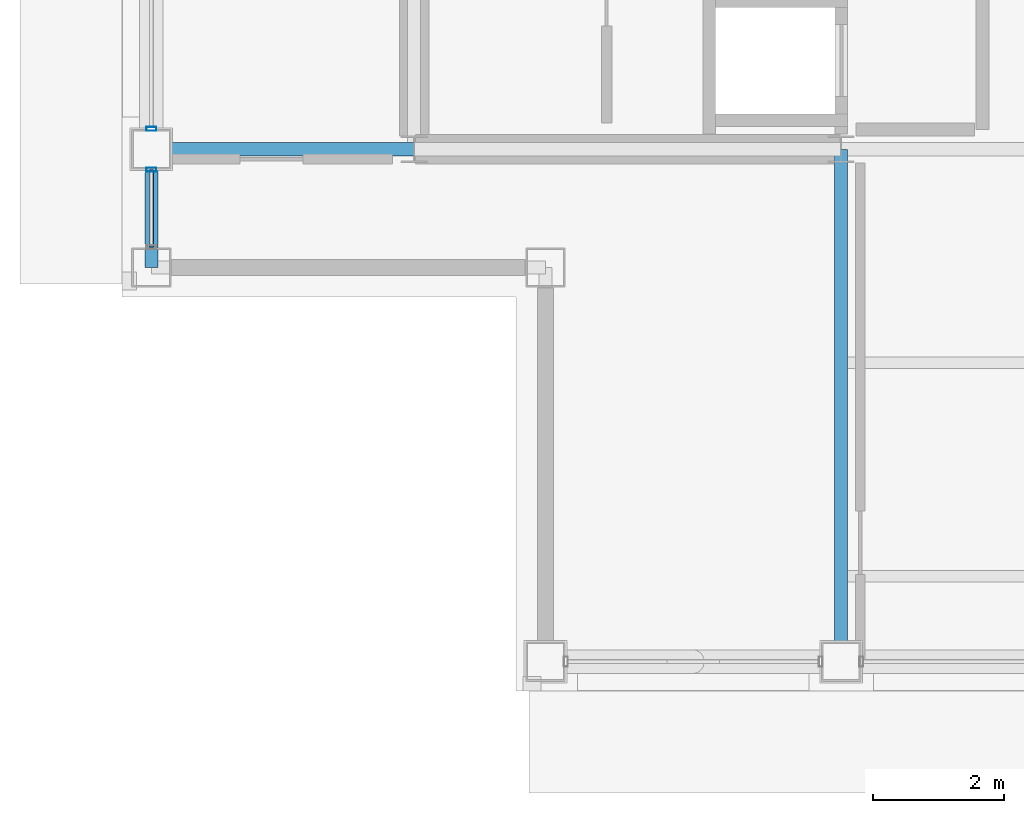
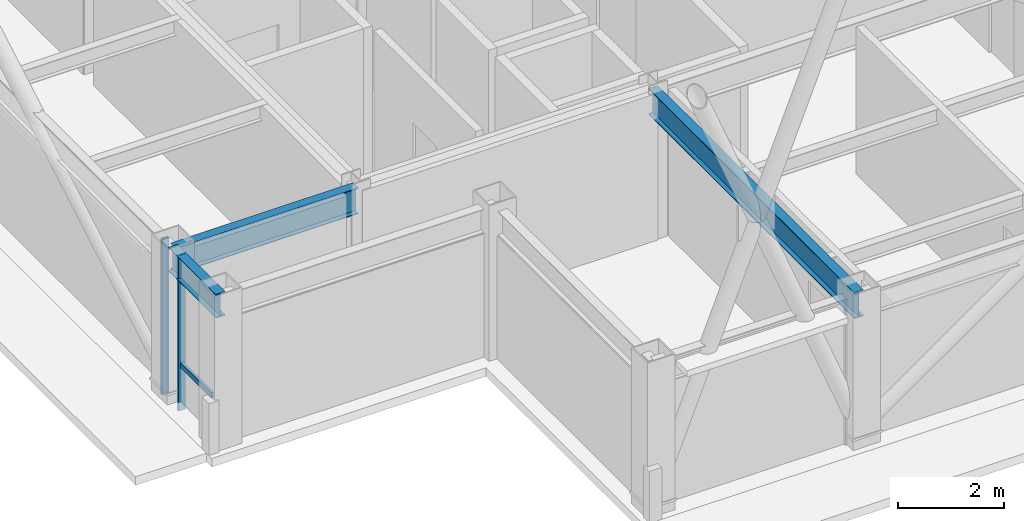
# One storey, part 4 of 24: 3 beams, 3 members, 2 elements without a shape of their own.
"""IFC4 building model written with IfcOpenShell, lengths in metres."""

from ifc_helpers import new_model, si_unit, direction, frame, origin, origin_2d, place, context, subcontext, project, spatial, hollow_rectangle, i_section, extrude, material, layer, layer_set, material_profile, profile_set, type_object, element, aggregate, save


model = new_model("IFC4")

# Units and contexts
model_context = context("Model", 3, precision=1e-05, world=origin(), true_north=direction((0.0, 1.0)))
body_context = subcontext(model_context, "Body", "Model", "MODEL_VIEW")
ifc_project = project(units=[si_unit("LENGTHUNIT", "METRE"), si_unit("AREAUNIT", "SQUARE_METRE"), si_unit("VOLUMEUNIT", "CUBIC_METRE"), si_unit("PLANEANGLEUNIT", "RADIAN"), si_unit("MASSUNIT", "GRAM", prefix="KILO")], contexts=[model_context])

# Site, building, storey
site_placement = place(None, origin())
site = spatial("IfcSite", under=ifc_project, at=site_placement, CompositionType="ELEMENT")
building_placement = place(site_placement, origin())
building = spatial("IfcBuilding", under=site, at=building_placement, Name="Brelmoor Portico Tower", CompositionType="ELEMENT")
storey_placement = place(building_placement, frame((0.0, 0.0, 268.800048828125)))
storey = spatial("IfcBuildingStorey", under=building, at=storey_placement, Name="L71", CompositionType="ELEMENT", Elevation=268.800048828125)

# Beams
ifc_material_1 = material(Name="Steel Q355B", Category="steel")
ifc_material_profile_1 = material_profile(ifc_material_1, i_section(OverallWidth=0.199951171875, OverallDepth=0.60009765625, WebThickness=0.010986328125, FlangeThickness=0.01708984375, at=origin_2d()), Name="HN 600x200x11x17")
ifc_profile_set_1 = profile_set([ifc_material_profile_1], Name="Steel Q355B")
beam_type_1 = type_object("IfcBeamType", Name="BM-PG-600", PredefinedType="BEAM", material=ifc_profile_set_1)
beam_1_placement = place(storey_placement, frame((-8.050048828125, -17.550048828125, 3.099853515625), z_axis=(0.0, 1.0, 0.0), x_axis=(-1.0, 0.0, 0.0)))
element("IfcBeam", 1, at=beam_1_placement, inside=storey, type_object=beam_type_1, Name="L71 Primary Floor Girder PG-03", PredefinedType="BEAM", context=body_context, shape_type="SweptSolid", body=[
    extrude(i_section(OverallWidth=0.199951171875, OverallDepth=0.60009765625, WebThickness=0.010986328125, FlangeThickness=0.01708984375, at=origin_2d()), origin(), (0.0, 0.0, 1.0), 7.800048828125),
])
beam_2_placement = place(storey_placement, frame((-18.550048828125, -9.75, 3.099853515625), z_axis=(1.0, 0.0, 0.0), x_axis=(0.0, 1.0, 0.0)))
element("IfcBeam", 2, at=beam_2_placement, inside=storey, type_object=beam_type_1, Name="L71 Primary Floor Girder PG-11", PredefinedType="BEAM", context=body_context, shape_type="SweptSolid", body=[
    extrude(i_section(OverallWidth=0.199951171875, OverallDepth=0.60009765625, WebThickness=0.010986328125, FlangeThickness=0.01708984375, at=origin_2d()), origin(), (0.0, 0.0, 1.0), 4.0),
])
ifc_material_profile_2 = material_profile(ifc_material_1, i_section(OverallWidth=0.199951171875, OverallDepth=0.550048828125, WebThickness=0.010009765625, FlangeThickness=0.01611328125, at=origin_2d()), Name="HN 550x200x10x16")
ifc_profile_set_2 = profile_set([ifc_material_profile_2], Name="Steel Q355B")
beam_type_2 = type_object("IfcBeamType", Name="BM-SP-550", PredefinedType="SPANDREL", material=ifc_profile_set_2)
beam_3_placement = place(storey_placement, frame((-18.550048828125, -11.550048828125, 3.125), z_axis=(0.0, 1.0, 0.0), x_axis=(-1.0, 0.0, 0.0)))
element("IfcBeam", 3, at=beam_3_placement, inside=storey, type_object=beam_type_2, Name="L71 Perimeter Spandrel Beam SP-11", PredefinedType="SPANDREL", context=body_context, shape_type="SweptSolid", body=[
    extrude(i_section(OverallWidth=0.199951171875, OverallDepth=0.550048828125, WebThickness=0.010009765625, FlangeThickness=0.01611328125, at=origin_2d()), origin(), (0.0, 0.0, 1.0), 1.800048828125),
])

# Curtain wall, member
ifc_material_2 = material(Name="Anodised Aluminium Alloy 6063-T6", Category="aluminium")
ifc_layer_1 = layer(ifc_material_2, 0.179931640625)
ifc_layer_set_1 = layer_set([ifc_layer_1], Name="Anodised Aluminium Alloy 6063-T6")
curtain_wall_type_1 = type_object("IfcCurtainWallType", Name="CW-TOWER-Z4", PredefinedType="NOTDEFINED", material=ifc_layer_set_1)
curtain_wall_1_placement = place(storey_placement, origin())
curtain_wall_1 = element("IfcCurtainWall", 4, at=curtain_wall_1_placement, inside=storey, type_object=curtain_wall_type_1, Name="L71 Curtain Wall CW-L71-03-1", PredefinedType="NOTDEFINED")
ifc_material_profile_3 = material_profile(ifc_material_2, hollow_rectangle(XDim=0.06005859375, YDim=0.14990234375, WallThickness=0.00390625, at=origin_2d()), Name="ALU MULLION 60x150")
ifc_profile_set_3 = profile_set([ifc_material_profile_3], Name="Anodised Aluminium Alloy 6063-T6")
member_type_1 = type_object("IfcMemberType", Name="MB-CW-MULL-150", PredefinedType="MULLION", material=ifc_profile_set_3)
member_1_placement = place(storey_placement, frame((-18.550048828125, -10.06005859375, -0.199951171875), z_axis=(0.0, 0.0, 1.0), x_axis=(0.0, 1.0, 0.0)))
member_1 = element("IfcMember", 5, at=member_1_placement, type_object=member_type_1, Name="CW-L71-03-1 Mullion 01", PredefinedType="MULLION", context=body_context, shape_type="SweptSolid", body=[
    extrude(hollow_rectangle(XDim=0.06005859375, YDim=0.14990234375, WallThickness=0.00390625, at=origin_2d()), origin(), (0.0, 0.0, 1.0), 3.599853515625),
])

ifc_layer_2 = layer(ifc_material_2, 0.179931640625)
ifc_layer_set_2 = layer_set([ifc_layer_2], Name="Anodised Aluminium Alloy 6063-T6")
curtain_wall_type_2 = type_object("IfcCurtainWallType", Name="CW-TOWER-Z4-XB", PredefinedType="NOTDEFINED", material=ifc_layer_set_2)
curtain_wall_2_placement = place(storey_placement, origin())
curtain_wall_2 = element("IfcCurtainWall", 6, at=curtain_wall_2_placement, inside=storey, type_object=curtain_wall_type_2, Name="L71 Curtain Wall CW-L71-03-2", PredefinedType="NOTDEFINED")
member_2_placement = place(storey_placement, frame((-18.550048828125, -9.43994140625, -0.199951171875), z_axis=(0.0, 0.0, 1.0), x_axis=(0.0, 1.0, 0.0)))
member_2 = element("IfcMember", 7, at=member_2_placement, type_object=member_type_1, Name="CW-L71-03-2 Mullion 00", PredefinedType="MULLION", context=body_context, shape_type="SweptSolid", body=[
    extrude(hollow_rectangle(XDim=0.06005859375, YDim=0.14990234375, WallThickness=0.00390625, at=origin_2d()), origin(), (0.0, 0.0, 1.0), 3.599853515625),
])
aggregate(curtain_wall_2, [member_2])

# Member
ifc_material_profile_4 = material_profile(ifc_material_2, hollow_rectangle(XDim=0.06005859375, YDim=0.125, WallThickness=0.00341796875, at=origin_2d()), Name="ALU TRANSOM 60x125")
ifc_profile_set_4 = profile_set([ifc_material_profile_4], Name="Anodised Aluminium Alloy 6063-T6")
member_type_2 = type_object("IfcMemberType", Name="MB-CW-TRAN-125", PredefinedType="USERDEFINED", material=ifc_profile_set_4)
member_3_placement = place(storey_placement, frame((-18.550048828125, -11.239990234375, 0.849853515625), z_axis=(0.0, 1.0, 0.0), x_axis=(-1.0, 0.0, 0.0)))
member_3 = element("IfcMember", 8, at=member_3_placement, type_object=member_type_2, Name="CW-L71-03-1 Transom 1-00", ObjectType="TRANSOM", PredefinedType="USERDEFINED", context=body_context, shape_type="SweptSolid", body=[
    extrude(hollow_rectangle(XDim=0.06005859375, YDim=0.125, WallThickness=0.00341796875, at=origin_2d()), origin(), (0.0, 0.0, 1.0), 1.179931640625),
])

aggregate(curtain_wall_1, [member_1, member_3])

save(model, "model.ifc")
